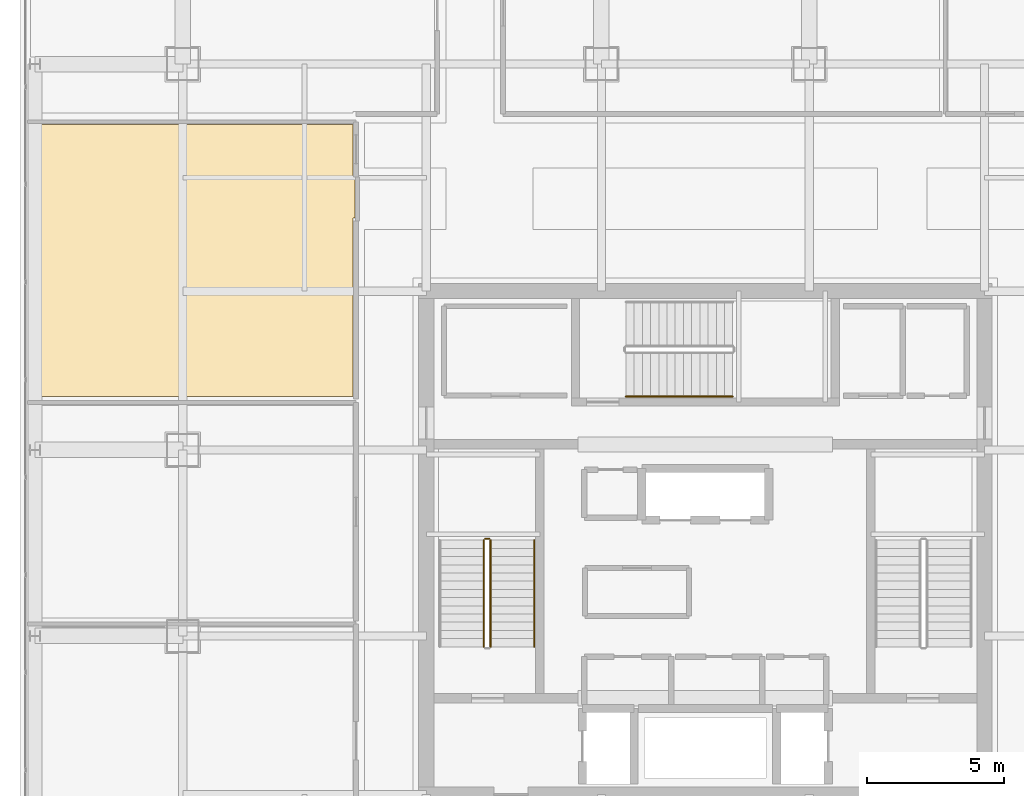
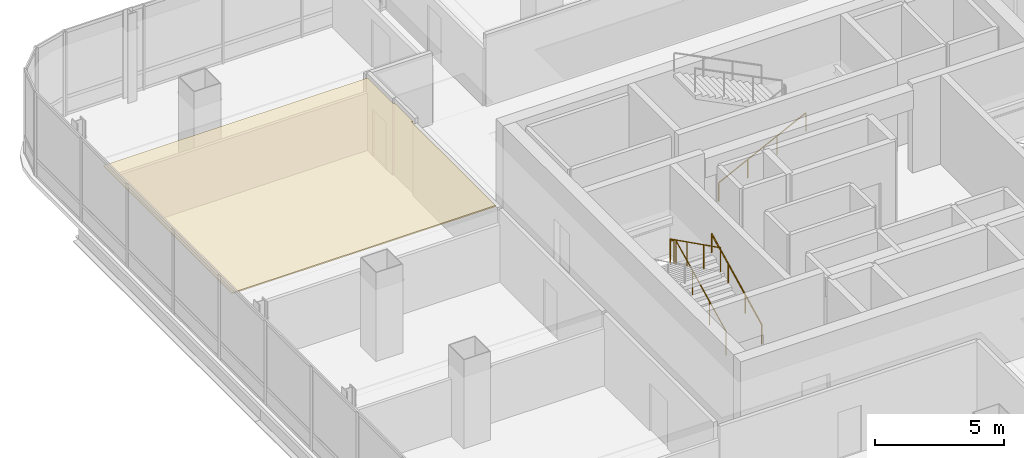
# One storey, part 38 of 41: 5 railings, 1 covering.
"""IFC4 building model written with IfcOpenShell, lengths in metres."""

from ifc_helpers import new_model, si_unit, direction, frame, origin, origin_2d, place, context, subcontext, project, spatial, polyline, circle, outline, extrude, material, layer, layer_set, type_object, element, save


model = new_model("IFC4")

# Units and contexts
model_context = context("Model", 3, precision=1e-05, world=origin(), true_north=direction((0.0, 1.0)))
body_context = subcontext(model_context, "Body", "Model", "MODEL_VIEW")
ifc_project = project(units=[si_unit("LENGTHUNIT", "METRE"), si_unit("AREAUNIT", "SQUARE_METRE"), si_unit("VOLUMEUNIT", "CUBIC_METRE"), si_unit("PLANEANGLEUNIT", "RADIAN"), si_unit("MASSUNIT", "GRAM", prefix="KILO")], contexts=[model_context])

# Site, building, storey
site_placement = place(None, origin())
site = spatial("IfcSite", under=ifc_project, at=site_placement, CompositionType="ELEMENT")
building_placement = place(site_placement, origin())
building = spatial("IfcBuilding", under=site, at=building_placement, Name="Punatoya Terracotta Tower", CompositionType="ELEMENT")
storey_placement = place(building_placement, frame((0.0, 0.0, 292.199951171875)))
storey = spatial("IfcBuildingStorey", under=building, at=storey_placement, Name="L69", CompositionType="ELEMENT", Elevation=292.199951171875)

# Covering
ifc_material_1 = material(Name="Acoustic Mineral Fibre Ceiling")
ifc_layer = layer(ifc_material_1, 0.06005859375)
ifc_layer_set = layer_set([ifc_layer], Name="Acoustic Mineral Fibre Ceiling")
covering_type = type_object("IfcCoveringType", Name="COV-CEIL-60", PredefinedType="CEILING", material=ifc_layer_set)
covering_placement = place(storey_placement, frame((0.0, 0.0, 3.39013671875)))
element("IfcCovering", 1, at=covering_placement, inside=storey, type_object=covering_type, Name="L69 Cultural Reading Library Acoustic Ceiling", PredefinedType="CEILING", context=body_context, shape_type="SweptSolid", body=[
    extrude(outline(polyline([(-12.8701171875, 11.8701171875), (-12.81005859375, 11.8701171875), (-12.81005859375, 13.280029296875), (-12.8701171875, 13.280029296875), (-12.8701171875, 15.2900390625), (-24.669921875, 15.2900390625), (-24.669921875, 5.35009765625), (-12.8701171875, 5.35009765625), (-12.8701171875, 11.8701171875)])), origin(), (0.0, 0.0, 1.0), 0.059814453125),
])

# Railings
ifc_material_2 = material(Name="Steel S355", Category="steel")
railing_type_1 = type_object("IfcRailingType", Name="RLG-GRD-1150", PredefinedType="GUARDRAIL", material=ifc_material_2)
railing_1_placement = place(storey_placement, frame((-7.85009765625, -3.800048828125, 0.150146484375)))
element("IfcRailing", 2, at=railing_1_placement, inside=storey, type_object=railing_type_1, Name="L69 ST-1 stair guard 1", PredefinedType="GUARDRAIL", context=body_context, shape_type="SweptSolid", body=[
    extrude(circle(Radius=0.02392578125, at=origin_2d()), frame((0.0, 0.0, 1.1259765625), z_axis=(0.0, 0.894438388696, 0.447191199406), x_axis=(-1.0, 0.0, 0.0)), (0.0, 0.0, 1.0), 4.3603515625),
    extrude(circle(Radius=0.02099609375, at=origin_2d()), origin(), (0.0, 0.0, 1.0), 1.101806640625),
    extrude(circle(Radius=0.02099609375, at=origin_2d()), frame((0.0, 1.300048828125, 0.64990234375)), (0.0, 0.0, 1.0), 1.101806640625),
    extrude(circle(Radius=0.02099609375, at=origin_2d()), frame((0.0, 2.60009765625, 1.300048828125)), (0.0, 0.0, 1.0), 1.101806640625),
    extrude(circle(Radius=0.02099609375, at=origin_2d()), frame((0.0, 3.900146484375, 1.949951171875)), (0.0, 0.0, 1.0), 1.101806640625),
])
railing_2_placement = place(storey_placement, frame((-7.89990234375, 0.14990234375, 2.10009765625)))
element("IfcRailing", 3, at=railing_2_placement, inside=storey, type_object=railing_type_1, Name="L69 ST-1 stair guard 2", PredefinedType="GUARDRAIL", context=body_context, shape_type="SweptSolid", body=[
    extrude(circle(Radius=0.02392578125, at=origin_2d()), frame((0.0, 0.0, 1.1259765625), z_axis=(-1.0, 0.0, 0.0), x_axis=(0.0, -1.0, 0.0)), (0.0, 0.0, 1.0), 0.150146484375),
    extrude(circle(Radius=0.02099609375, at=origin_2d()), origin(), (0.0, 0.0, 1.0), 1.101806640625),
    extrude(circle(Radius=0.02099609375, at=origin_2d()), frame((-0.150146484375, 0.0, 0.0)), (0.0, 0.0, 1.0), 1.101806640625),
])
railing_3_placement = place(storey_placement, frame((-8.10009765625, 0.10009765625, 2.25)))
element("IfcRailing", 4, at=railing_3_placement, inside=storey, type_object=railing_type_1, Name="L69 ST-1 stair guard 3", PredefinedType="GUARDRAIL", context=body_context, shape_type="SweptSolid", body=[
    extrude(circle(Radius=0.02392578125, at=origin_2d()), frame((0.0, 0.0, 1.1259765625), z_axis=(0.0, -0.894438388696, 0.447191199406), x_axis=(1.0, 0.0, 0.0)), (0.0, 0.0, 1.0), 4.3603515625),
    extrude(circle(Radius=0.02099609375, at=origin_2d()), origin(), (0.0, 0.0, 1.0), 1.101806640625),
    extrude(circle(Radius=0.02099609375, at=origin_2d()), frame((0.0, -1.300048828125, 0.64990234375)), (0.0, 0.0, 1.0), 1.101806640625),
    extrude(circle(Radius=0.02099609375, at=origin_2d()), frame((0.0, -2.60009765625, 1.300048828125)), (0.0, 0.0, 1.0), 1.101806640625),
    extrude(circle(Radius=0.02099609375, at=origin_2d()), frame((0.0, -3.900146484375, 1.949951171875)), (0.0, 0.0, 1.0), 1.101806640625),
])
railing_type_2 = type_object("IfcRailingType", Name="RLG-HND-900", PredefinedType="HANDRAIL", material=ifc_material_2)
railing_4_placement = place(storey_placement, frame((-6.25, -3.800048828125, 0.150146484375)))
element("IfcRailing", 5, at=railing_4_placement, inside=storey, type_object=railing_type_2, Name="L69 ST-1 stair handrail 1", PredefinedType="HANDRAIL", context=body_context, shape_type="SweptSolid", body=[
    extrude(circle(Radius=0.02392578125, at=origin_2d()), frame((0.0, 0.0, 0.8759765625), z_axis=(0.0, 0.894438388696, 0.447191199406), x_axis=(-1.0, 0.0, 0.0)), (0.0, 0.0, 1.0), 4.3603515625),
    extrude(circle(Radius=0.02099609375, at=origin_2d()), origin(), (0.0, 0.0, 1.0), 0.851806640625),
    extrude(circle(Radius=0.02099609375, at=origin_2d()), frame((0.0, 1.300048828125, 0.64990234375)), (0.0, 0.0, 1.0), 0.851806640625),
    extrude(circle(Radius=0.02099609375, at=origin_2d()), frame((0.0, 2.60009765625, 1.300048828125)), (0.0, 0.0, 1.0), 0.851806640625),
    extrude(circle(Radius=0.02099609375, at=origin_2d()), frame((0.0, 3.900146484375, 1.949951171875)), (0.0, 0.0, 1.0), 0.851806640625),
])
railing_5_placement = place(storey_placement, frame((-2.89990234375, 5.35009765625, 0.150146484375)))
element("IfcRailing", 6, at=railing_5_placement, inside=storey, type_object=railing_type_2, Name="L69 ST-3 stair handrail 1", PredefinedType="HANDRAIL", context=body_context, shape_type="SweptSolid", body=[
    extrude(circle(Radius=0.02392578125, at=origin_2d()), frame((0.0, 0.0, 0.8759765625), z_axis=(0.894427191, 0.0, 0.4472135955), x_axis=(0.0, 1.0, 0.0)), (0.0, 0.0, 1.0), 4.360107421875),
    extrude(circle(Radius=0.02099609375, at=origin_2d()), origin(), (0.0, 0.0, 1.0), 0.851806640625),
    extrude(circle(Radius=0.02099609375, at=origin_2d()), frame((1.300048828125, 0.0, 0.64990234375)), (0.0, 0.0, 1.0), 0.851806640625),
    extrude(circle(Radius=0.02099609375, at=origin_2d()), frame((2.599853515625, 0.0, 1.300048828125)), (0.0, 0.0, 1.0), 0.851806640625),
    extrude(circle(Radius=0.02099609375, at=origin_2d()), frame((3.89990234375, 0.0, 1.949951171875)), (0.0, 0.0, 1.0), 0.851806640625),
])

save(model, "model.ifc")
